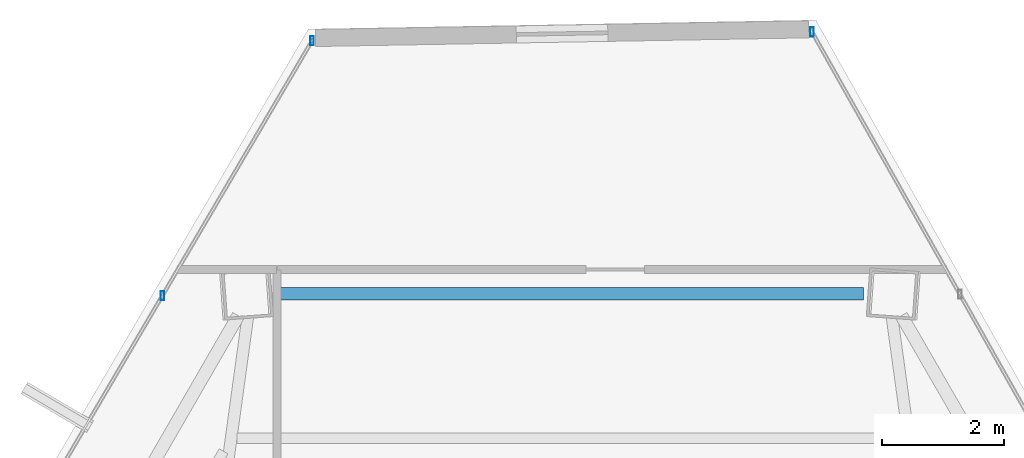
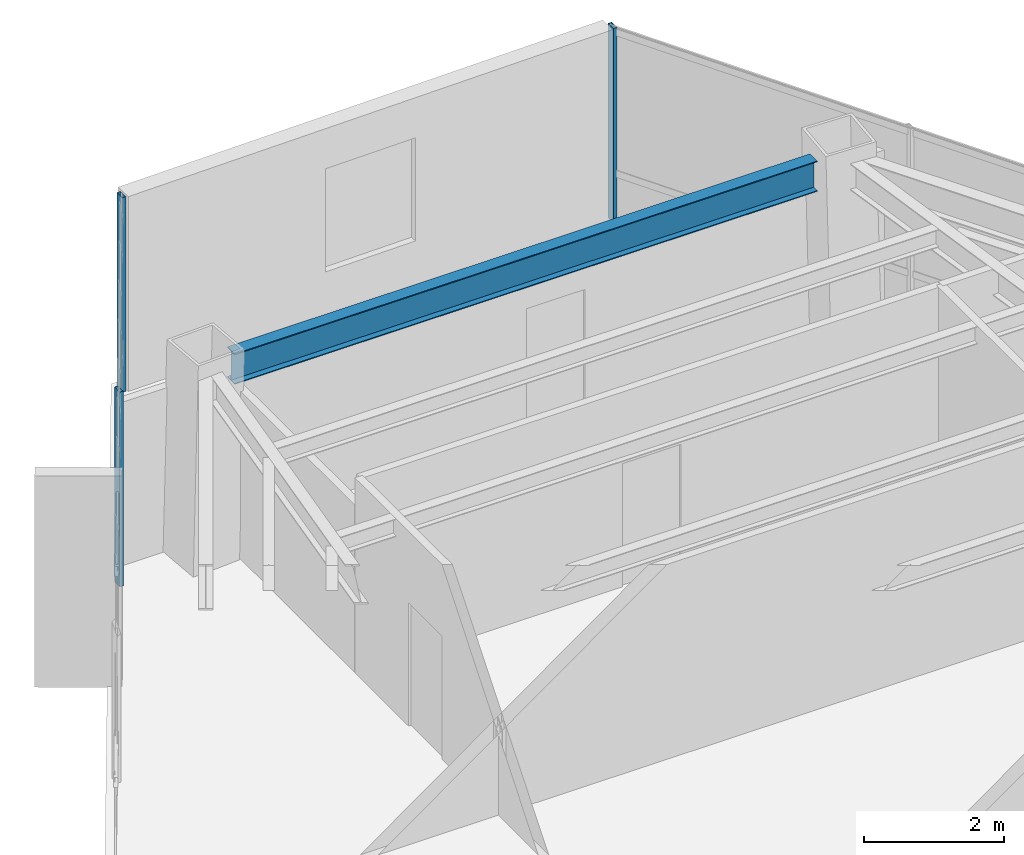
# One storey, part 29 of 42: 3 members, 1 beam, 2 elements without a shape of their own.
"""IFC4 building model written with IfcOpenShell, lengths in metres."""

from ifc_helpers import new_model, si_unit, direction, frame, origin, origin_2d, place, context, subcontext, project, spatial, hollow_rectangle, i_section, extrude, source, transform, mapped, material, material_profile, profile_set, type_object, type_shapes, element, aggregate, save


model = new_model("IFC4")

# Units and contexts
model_context = context("Model", 3, precision=1e-05, world=origin(), true_north=direction((0.0, 1.0)))
body_context = subcontext(model_context, "Body", "Model", "MODEL_VIEW")
ifc_project = project(units=[si_unit("LENGTHUNIT", "METRE"), si_unit("AREAUNIT", "SQUARE_METRE"), si_unit("VOLUMEUNIT", "CUBIC_METRE"), si_unit("PLANEANGLEUNIT", "RADIAN"), si_unit("MASSUNIT", "GRAM", prefix="KILO")], contexts=[model_context])

# Site, building, storey
site_placement = place(None, origin())
site = spatial("IfcSite", under=ifc_project, at=site_placement, CompositionType="ELEMENT")
building_placement = place(site_placement, origin())
building = spatial("IfcBuilding", under=site, at=building_placement, Name="Caelisora Broadcast Tower", CompositionType="ELEMENT")
storey_placement = place(building_placement, frame((0.0, 0.0, 195.0)))
storey = spatial("IfcBuildingStorey", under=building, at=storey_placement, Name="L51", CompositionType="ELEMENT", Elevation=195.0)

# Beam
ifc_material_1 = material(Name="Steel Grade 350 (AS/NZS 3679.1)", Category="steel")
ifc_material_profile_1 = material_profile(ifc_material_1, i_section(OverallWidth=0.208984375, OverallDepth=0.532958984375, WebThickness=0.01025390625, FlangeThickness=0.015625, at=origin_2d()), Name="Steel Grade 350 (AS/NZS 3679.1)")
ifc_profile_set_1 = profile_set([ifc_material_profile_1], Name="Steel Grade 350 (AS/NZS 3679.1)")
beam_type = type_object("IfcBeamType", Name="PG05", PredefinedType="BEAM", material=ifc_profile_set_1)
shared_shape_1 = source(origin(), body_context, "Body", "SweptSolid", [
    extrude(i_section(OverallWidth=0.208984375, OverallDepth=0.532958984375, WebThickness=0.01025390625, FlangeThickness=0.015625, at=origin_2d()), origin(), (0.0, 0.0, 1.0), 9.619140625),
])
type_shapes(beam_type, [shared_shape_1])
beam_placement = place(storey_placement, frame((42.8095703125, 46.572998046875, 3.133544921875), z_axis=(-1.0, 0.0, 0.0), x_axis=(0.0, -1.0, 0.0)))
element("IfcBeam", 1, at=beam_placement, inside=storey, type_object=beam_type, Name="L51 beam PG05", PredefinedType="BEAM", context=body_context, shape_type="MappedRepresentation", body=[
    mapped(shared_shape_1, transform((0.0, 0.0, 0.0), scale=1.0)),
])

# Curtain wall, member
ifc_material_2 = material(Name="Unitised Aluminium and Low-E Glass Curtain Wall", Category="glass")
curtain_wall_type = type_object("IfcCurtainWallType", Name="CW-Z4", PredefinedType="NOTDEFINED", material=ifc_material_2)
curtain_wall_1_placement = place(storey_placement, origin())
curtain_wall_1 = element("IfcCurtainWall", 2, at=curtain_wall_1_placement, inside=storey, type_object=curtain_wall_type, Name="L51 curtain wall CW-Z4", PredefinedType="NOTDEFINED")
ifc_material_3 = material(Name="Aluminium 6063-T6 Anodised Terracotta Bronze", Category="aluminium")
ifc_material_profile_2 = material_profile(ifc_material_3, hollow_rectangle(XDim=0.06005859375, YDim=0.14990234375, WallThickness=0.00341796875, at=origin_2d()), Name="Aluminium 6063-T6 Anodised Terracotta Bronze")
ifc_profile_set_2 = profile_set([ifc_material_profile_2], Name="Aluminium 6063-T6 Anodised Terracotta Bronze")
member_type = type_object("IfcMemberType", Name="CWM-03", PredefinedType="MULLION", material=ifc_profile_set_2)
shared_shape_2 = source(origin(), body_context, "Body", "SweptSolid", [
    extrude(hollow_rectangle(XDim=0.06005859375, YDim=0.14990234375, WallThickness=0.00341796875, at=origin_2d()), origin(), (0.0, 0.0, 1.0), 3.39990234375),
])
type_shapes(member_type, [shared_shape_2])
member_1_placement = place(storey_placement, frame((41.967529296875, 50.8623046875, 0.0), z_axis=(0.0, 0.0, 1.0), x_axis=(1.0, 0.0, 0.0)))
member_1 = element("IfcMember", 3, at=member_1_placement, type_object=member_type, Name="L51-CW-B01 mullion #0", PredefinedType="MULLION", context=body_context, shape_type="MappedRepresentation", body=[
    mapped(shared_shape_2, transform((0.0, 0.0, 0.0), scale=1.0)),
])
aggregate(curtain_wall_1, [member_1])

# Curtain wall, members
curtain_wall_2_placement = place(storey_placement, origin())
curtain_wall_2 = element("IfcCurtainWall", 4, at=curtain_wall_2_placement, inside=storey, type_object=curtain_wall_type, Name="L51 curtain wall CW-Z4", PredefinedType="NOTDEFINED")
member_2_placement = place(storey_placement, frame((31.3232421875, 46.541748046875, 0.0), z_axis=(0.0, 0.0, 1.0), x_axis=(1.0, 0.0, 0.0)))
member_2 = element("IfcMember", 5, at=member_2_placement, type_object=member_type, Name="L51-CW-B11 mullion #2", PredefinedType="MULLION", context=body_context, shape_type="MappedRepresentation", body=[
    mapped(shared_shape_2, transform((0.0, 0.0, 0.0), scale=1.0)),
])
member_3_placement = place(storey_placement, frame((33.776611328125, 50.719970703125, 0.0), z_axis=(0.0, 0.0, 1.0), x_axis=(1.0, 0.0, 0.0)))
member_3 = element("IfcMember", 6, at=member_3_placement, type_object=member_type, Name="L51-CW-B11 mullion #3", PredefinedType="MULLION", context=body_context, shape_type="MappedRepresentation", body=[
    mapped(shared_shape_2, transform((0.0, 0.0, 0.0), scale=1.0)),
])
aggregate(curtain_wall_2, [member_2, member_3])

save(model, "model.ifc")
